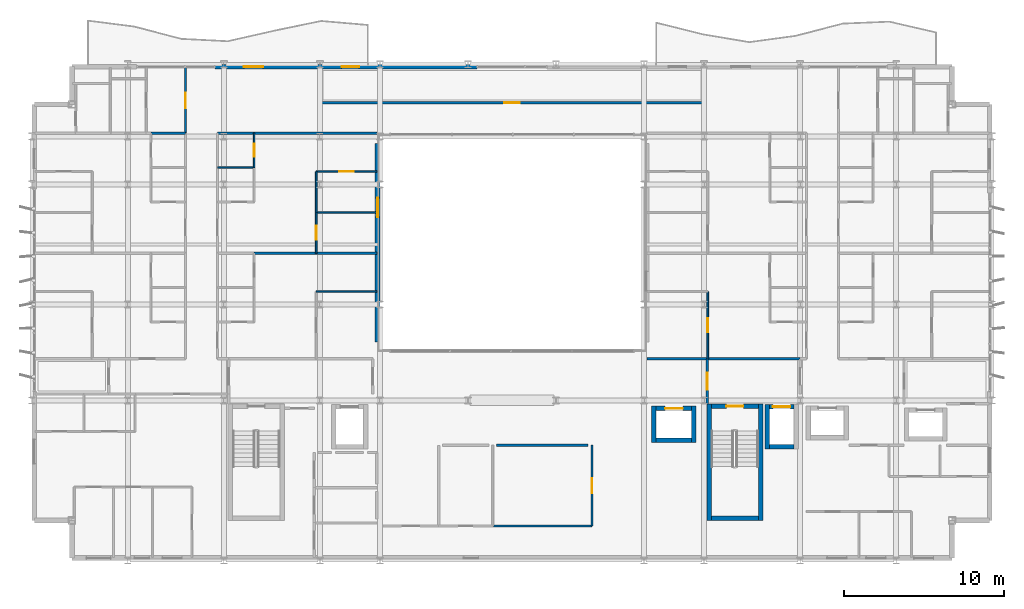
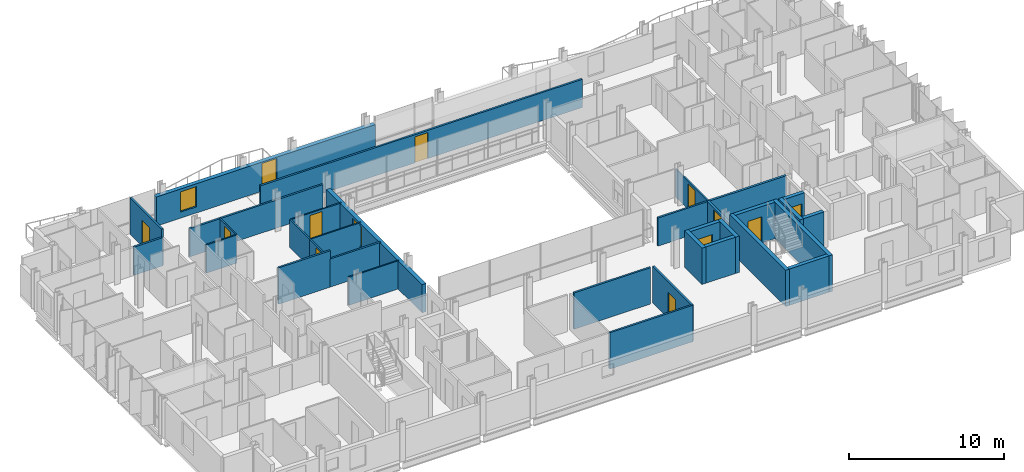
# One storey, part 30 of 39: 34 walls, 12 doors, 2 windows, 14 openings.
"""IFC4 building model written with IfcOpenShell, lengths in metres."""

from ifc_helpers import new_model, si_unit, direction, frame, frame_2d, origin, place, context, subcontext, project, spatial, rectangle, extrude, material, layer, layer_set, type_object, element, fill, save


model = new_model("IFC4")

# Units and contexts
model_context = context("Model", 3, precision=1e-05, world=origin(), true_north=direction((0.0, 1.0)))
body_context = subcontext(model_context, "Body", "Model", "MODEL_VIEW")
ifc_project = project(units=[si_unit("LENGTHUNIT", "METRE"), si_unit("AREAUNIT", "SQUARE_METRE"), si_unit("VOLUMEUNIT", "CUBIC_METRE"), si_unit("PLANEANGLEUNIT", "RADIAN"), si_unit("MASSUNIT", "GRAM", prefix="KILO")], contexts=[model_context])

# Site, building, storey
site_placement = place(None, origin())
site = spatial("IfcSite", under=ifc_project, at=site_placement, CompositionType="ELEMENT")
building_placement = place(site_placement, origin())
building = spatial("IfcBuilding", under=site, at=building_placement, Name="Brevholm Reach", CompositionType="ELEMENT")
storey_placement = place(building_placement, frame((0.0, 0.0, 77.60009765625)))
storey = spatial("IfcBuildingStorey", under=building, at=storey_placement, Name="L22", CompositionType="ELEMENT", Elevation=77.60009765625)

# Walls
ifc_material_1 = material(Name="Concrete C50/60", Category="concrete")
ifc_layer_1 = layer(ifc_material_1, 0.280029296875)
ifc_layer_set_1 = layer_set([ifc_layer_1], Name="Concrete C50/60")
wall_type_1 = type_object("IfcWallType", Name="WAL-COR-280", PredefinedType="SHEAR", material=ifc_layer_set_1)
for number, where, z_axis, x_axis, name in (
    (1, (42.31005859375, 2.5, 0.0), (0.0, 0.0, 1.0), (0.0, 1.0, 0.0), "L22 Escape Stair ST-2 Core Wall W"),
    (2, (45.5400390625, 2.5, 0.0), (0.0, 0.0, 1.0), (0.0, 1.0, 0.0), "L22 Escape Stair ST-2 Core Wall E"),
):
    element("IfcWall", number, at=place(storey_placement, frame(where, z_axis=z_axis, x_axis=x_axis)), inside=storey, type_object=wall_type_1, Name=name, PredefinedType="SHEAR", context=body_context, shape_type="SweptSolid", body=[
        extrude(rectangle(XDim=7.280029296875, YDim=0.280029296875, at=frame_2d((3.64013671875, 0.0))), origin(), (0.0, 0.0, 1.0), 2.869873046875),
    ])
wall_1_placement = place(storey_placement, frame((42.449951171875, 2.639892578125, 0.0), z_axis=(0.0, 0.0, 1.0), x_axis=(1.0, 0.0, 0.0)))
element("IfcWall", 3, at=wall_1_placement, inside=storey, type_object=wall_type_1, Name="L22 Escape Stair ST-2 Core Wall S", PredefinedType="SHEAR", context=body_context, shape_type="SweptSolid", body=[
    extrude(rectangle(XDim=2.949951171875, YDim=0.280029296875, at=frame_2d((1.47509765625, 0.0))), origin(), (0.0, 0.0, 1.0), 2.869873046875),
])

# Wall, opening, door
wall_2_placement = place(storey_placement, frame((45.39990234375, 9.639892578125, 0.0), z_axis=(0.0, 0.0, 1.0), x_axis=(-1.0, 0.0, 0.0)))
wall_2 = element("IfcWall", 4, at=wall_2_placement, inside=storey, type_object=wall_type_1, Name="L22 Escape Stair ST-2 Core Wall N", PredefinedType="SHEAR", context=body_context, shape_type="SweptSolid", body=[
    extrude(rectangle(XDim=2.949951171875, YDim=0.280029296875, at=frame_2d((1.47509765625, 0.0))), origin(), (0.0, 0.0, 1.0), 2.869873046875),
])
opening_1_placement = place(wall_2_placement, frame((0.949951171875, 0.0, 0.0)))
opening_1 = element("IfcOpeningElement", 5, at=opening_1_placement, cuts=wall_2, Name="Opening SD-ST-2", PredefinedType="OPENING", context=body_context, shape_type="SweptSolid", body=[
    extrude(rectangle(XDim=1.050048828125, YDim=2.06005859375, at=frame_2d((0.52490234375, 1.030029296875))), frame((0.0, 0.14990234375, 0.0), z_axis=(0.0, -1.0, 0.0), x_axis=(1.0, 0.0, 0.0)), (0.0, 0.0, 1.0), 0.300048828125),
])
ifc_material_2 = material(Name="Hardwood-Lipped Steel-Core Fire and Smoke Door", Category="steel")
door_type_1 = type_object("IfcDoorType", Name="DOR-INT-FD60S", OperationType="NOTDEFINED", PredefinedType="DOOR", material=ifc_material_2)
door_1_placement = place(opening_1_placement, origin())
door_1 = element("IfcDoor", 6, at=door_1_placement, inside=storey, type_object=door_type_1, Name="L22 Protected Stair ST-2 Lobby Door", OperationType="SINGLE_SWING_LEFT", OverallHeight=2.06005859375, OverallWidth=1.050048828125, PredefinedType="DOOR", context=body_context, shape_type="SweptSolid", body=[
    extrude(rectangle(XDim=1.050048828125, YDim=2.06005859375, at=frame_2d((0.52490234375, 1.030029296875))), frame((0.0, 0.02490234375, 0.0), z_axis=(0.0, -1.0, 0.0), x_axis=(1.0, 0.0, 0.0)), (0.0, 0.0, 1.0), 0.050048828125),
])
fill(opening_1, door_1)

# Walls
wall_3_placement = place(storey_placement, frame((45.949951171875, 6.9599609375, 0.0), z_axis=(0.0, 0.0, 1.0), x_axis=(0.0, 1.0, 0.0)))
element("IfcWall", 7, at=wall_3_placement, inside=storey, type_object=wall_type_1, Name="L22 Lift FFL-2 Shaft Wall W", PredefinedType="SHEAR", context=body_context, shape_type="SweptSolid", body=[
    extrude(rectangle(XDim=2.780029296875, YDim=0.280029296875, at=frame_2d((1.39013671875, 0.0))), origin(), (0.0, 0.0, 1.0), 2.869873046875),
])
wall_4_placement = place(storey_placement, frame((46.090087890625, 7.10009765625, 0.0), z_axis=(0.0, 0.0, 1.0), x_axis=(1.0, 0.0, 0.0)))
element("IfcWall", 8, at=wall_4_placement, inside=storey, type_object=wall_type_1, Name="L22 Lift FFL-2 Shaft Wall S", PredefinedType="SHEAR", context=body_context, shape_type="SweptSolid", body=[
    extrude(rectangle(XDim=1.52001953125, YDim=0.280029296875, at=frame_2d((0.760009765625, 0.0))), origin(), (0.0, 0.0, 1.0), 2.869873046875),
])

# Wall, opening, door
wall_5_placement = place(storey_placement, frame((46.090087890625, 9.60009765625, 0.0), z_axis=(0.0, 0.0, 1.0), x_axis=(1.0, 0.0, 0.0)))
wall_5 = element("IfcWall", 9, at=wall_5_placement, inside=storey, type_object=wall_type_1, Name="L22 Lift FFL-2 Shaft Wall N", PredefinedType="SHEAR", context=body_context, shape_type="SweptSolid", body=[
    extrude(rectangle(XDim=1.52001953125, YDim=0.280029296875, at=frame_2d((0.760009765625, 0.0))), origin(), (0.0, 0.0, 1.0), 2.869873046875),
])
opening_2_placement = place(wall_5_placement, frame((0.2099609375, 0.0, 0.0)))
opening_2 = element("IfcOpeningElement", 10, at=opening_2_placement, cuts=wall_5, Name="Opening LD-FFL-2", PredefinedType="OPENING", context=body_context, shape_type="SweptSolid", body=[
    extrude(rectangle(XDim=1.10009765625, YDim=2.06005859375, at=frame_2d((0.550048828125, 1.030029296875))), frame((0.0, 0.14990234375, 0.0), z_axis=(0.0, -1.0, 0.0), x_axis=(1.0, 0.0, 0.0)), (0.0, 0.0, 1.0), 0.300048828125),
])
ifc_material_3 = material(Name="Brushed Stainless Steel Fire-Rated Sliding Lift Door", Category="steel")
door_type_2 = type_object("IfcDoorType", Name="DOR-LFT-1100", OperationType="NOTDEFINED", PredefinedType="DOOR", material=ifc_material_3)
door_2_placement = place(opening_2_placement, origin())
door_2 = element("IfcDoor", 11, at=door_2_placement, inside=storey, type_object=door_type_2, Name="L22 Lift FFL-2 Sliding Landing Door", OperationType="SLIDING_TO_LEFT", OverallHeight=2.06005859375, OverallWidth=1.10009765625, PredefinedType="DOOR", context=body_context, shape_type="SweptSolid", body=[
    extrude(rectangle(XDim=1.10009765625, YDim=2.06005859375, at=frame_2d((0.550048828125, 1.030029296875))), frame((0.0, 0.02490234375, 0.0), z_axis=(0.0, -1.0, 0.0), x_axis=(1.0, 0.0, 0.0)), (0.0, 0.0, 1.0), 0.050048828125),
])
fill(opening_2, door_2)

# Walls
for number, where, z_axis, x_axis, name in (
    (12, (38.8701171875, 7.360107421875, 0.0), (0.0, 0.0, 1.0), (0.0, 1.0, 0.0), "L22 Lift PL-S1 Shaft Wall W"),
    (13, (41.3701171875, 7.360107421875, 0.0), (0.0, 0.0, 1.0), (0.0, 1.0, 0.0), "L22 Lift PL-S1 Shaft Wall E"),
):
    element("IfcWall", number, at=place(storey_placement, frame(where, z_axis=z_axis, x_axis=x_axis)), inside=storey, type_object=wall_type_1, Name=name, PredefinedType="SHEAR", context=body_context, shape_type="SweptSolid", body=[
        extrude(rectangle(XDim=2.27978515625, YDim=0.280029296875, at=frame_2d((1.139892578125, 0.0))), origin(), (0.0, 0.0, 1.0), 2.869873046875),
    ])
wall_6_placement = place(storey_placement, frame((39.010009765625, 7.5, 0.0), z_axis=(0.0, 0.0, 1.0), x_axis=(1.0, 0.0, 0.0)))
element("IfcWall", 14, at=wall_6_placement, inside=storey, type_object=wall_type_1, Name="L22 Lift PL-S1 Shaft Wall S", PredefinedType="SHEAR", context=body_context, shape_type="SweptSolid", body=[
    extrude(rectangle(XDim=2.219970703125, YDim=0.280029296875, at=frame_2d((1.10986328125, 0.0))), origin(), (0.0, 0.0, 1.0), 2.869873046875),
])

# Wall, opening, door
wall_7_placement = place(storey_placement, frame((39.010009765625, 9.5, 0.0), z_axis=(0.0, 0.0, 1.0), x_axis=(1.0, 0.0, 0.0)))
wall_7 = element("IfcWall", 15, at=wall_7_placement, inside=storey, type_object=wall_type_1, Name="L22 Lift PL-S1 Shaft Wall N", PredefinedType="SHEAR", context=body_context, shape_type="SweptSolid", body=[
    extrude(rectangle(XDim=2.219970703125, YDim=0.280029296875, at=frame_2d((1.10986328125, 0.0))), origin(), (0.0, 0.0, 1.0), 2.869873046875),
])
opening_3_placement = place(wall_7_placement, frame((0.56005859375, 0.0, 0.0)))
opening_3 = element("IfcOpeningElement", 16, at=opening_3_placement, cuts=wall_7, Name="Opening LD-PL-S1", PredefinedType="OPENING", context=body_context, shape_type="SweptSolid", body=[
    extrude(rectangle(XDim=1.10009765625, YDim=2.06005859375, at=frame_2d((0.550048828125, 1.030029296875))), frame((0.0, 0.14990234375, 0.0), z_axis=(0.0, -1.0, 0.0), x_axis=(1.0, 0.0, 0.0)), (0.0, 0.0, 1.0), 0.300048828125),
])
door_3_placement = place(opening_3_placement, origin())
door_3 = element("IfcDoor", 17, at=door_3_placement, inside=storey, type_object=door_type_2, Name="L22 Lift PL-S1 Sliding Landing Door", OperationType="SLIDING_TO_RIGHT", OverallHeight=2.06005859375, OverallWidth=1.10009765625, PredefinedType="DOOR", context=body_context, shape_type="SweptSolid", body=[
    extrude(rectangle(XDim=1.10009765625, YDim=2.06005859375, at=frame_2d((0.550048828125, 1.030029296875))), frame((0.0, 0.02490234375, 0.0), z_axis=(0.0, -1.0, 0.0), x_axis=(1.0, 0.0, 0.0)), (0.0, 0.0, 1.0), 0.050048828125),
])
fill(opening_3, door_3)

# Wall, openings, door, window
ifc_material_4 = material(Name="Concrete C40/50", Category="concrete")
ifc_layer_2 = layer(ifc_material_4, 0.300048828125)
ifc_layer_set_2 = layer_set([ifc_layer_2], Name="Concrete C40/50")
wall_type_2 = type_object("IfcWallType", Name="WAL-EXT-300", PredefinedType="STANDARD", material=ifc_layer_set_2)
wall_8_placement = place(storey_placement, frame((11.449951171875, 30.85009765625, 0.0), z_axis=(0.0, 0.0, 1.0), x_axis=(1.0, 0.0, 0.0)))
wall_8 = element("IfcWall", 18, at=wall_8_placement, inside=storey, type_object=wall_type_2, Name="L22 Facade Wall WAL-L22-NP-WL", PredefinedType="STANDARD", context=body_context, shape_type="SweptSolid", body=[
    extrude(rectangle(XDim=16.35009765625, YDim=0.300048828125, at=frame_2d((8.175048828125, 0.0))), origin(), (0.0, 0.0, 1.0), 2.305419921875),
])
opening_4_placement = place(wall_8_placement, frame((7.89794921875, 0.0, 0.0)))
opening_4 = element("IfcOpeningElement", 19, at=opening_4_placement, cuts=wall_8, Name="Opening BD-01", PredefinedType="OPENING", context=body_context, shape_type="SweptSolid", body=[
    extrude(rectangle(XDim=1.10009765625, YDim=2.199951171875, at=frame_2d((0.550048828125, 1.10009765625))), frame((0.0, 0.159912109375, 0.0), z_axis=(0.0, -1.0, 0.0), x_axis=(1.0, 0.0, 0.0)), (0.0, 0.0, 1.0), 0.320068359375),
])
opening_5_placement = place(wall_8_placement, frame((1.800048828125, 0.0, 0.486083984375)))
opening_5 = element("IfcOpeningElement", 20, at=opening_5_placement, cuts=wall_8, Name="Opening WN-08", PredefinedType="OPENING", context=body_context, shape_type="SweptSolid", body=[
    extrude(rectangle(XDim=1.199951171875, YDim=1.60009765625, at=frame_2d((0.60009765625, 0.800048828125))), frame((0.0, 0.159912109375, 0.0), z_axis=(0.0, -1.0, 0.0), x_axis=(1.0, 0.0, 0.0)), (0.0, 0.0, 1.0), 0.320068359375),
])
ifc_material_5 = material(Name="Dark Anodised Aluminium and Triple-Glazed Glass", Category="aluminium")
door_type_3 = type_object("IfcDoorType", Name="DOR-BALC-1100", OperationType="NOTDEFINED", PredefinedType="DOOR", material=ifc_material_5)
door_4_placement = place(opening_4_placement, origin())
door_4 = element("IfcDoor", 21, at=door_4_placement, inside=storey, type_object=door_type_3, Name="L22 Exterior Door DOR-L22-BL-NW", OperationType="SINGLE_SWING_RIGHT", OverallHeight=2.199951171875, OverallWidth=1.10009765625, PredefinedType="DOOR", context=body_context, shape_type="SweptSolid", body=[
    extrude(rectangle(XDim=1.10009765625, YDim=2.199951171875, at=frame_2d((0.550048828125, 1.10009765625))), frame((0.0, 0.02490234375, 0.0), z_axis=(0.0, -1.0, 0.0), x_axis=(1.0, 0.0, 0.0)), (0.0, 0.0, 1.0), 0.050048828125),
])
fill(opening_4, door_4)
ifc_material_6 = material(Name="Dark Anodised Aluminium and Solar-Control IGU Glass", Category="aluminium")
window_type = type_object("IfcWindowType", Name="WIN-RES-1200", PartitioningType="SINGLE_PANEL", PredefinedType="WINDOW", material=ifc_material_6)
window_1_placement = place(opening_5_placement, origin())
window_1 = element("IfcWindow", 22, at=window_1_placement, inside=storey, type_object=window_type, Name="L22 Window WIN-L22-NP-WL1", OverallHeight=1.60009765625, OverallWidth=1.199951171875, PartitioningType="SINGLE_PANEL", PredefinedType="WINDOW", context=body_context, shape_type="SweptSolid", body=[
    extrude(rectangle(XDim=1.199951171875, YDim=1.60009765625, at=frame_2d((0.60009765625, 0.800048828125))), frame((0.0, 0.030029296875, 0.0), z_axis=(0.0, -1.0, 0.0), x_axis=(1.0, 0.0, 0.0)), (0.0, 0.0, 1.0), 0.06005859375),
])
fill(opening_5, window_1)

# Wall, opening, window
wall_9_placement = place(storey_placement, frame((21.60009765625, 26.050048828125, 0.0), z_axis=(0.0, 0.0, 1.0), x_axis=(0.0, -1.0, 0.0)))
wall_9 = element("IfcWall", 23, at=wall_9_placement, inside=storey, type_object=wall_type_2, Name="L22 Facade Wall WAL-L22-AT-W", PredefinedType="STANDARD", context=body_context, shape_type="SweptSolid", body=[
    extrude(rectangle(XDim=12.400146484375, YDim=0.300048828125, at=frame_2d((6.2001953125, 0.0))), origin(), (0.0, 0.0, 1.0), 2.224609375),
])
opening_6_placement = place(wall_9_placement, frame((3.39990234375, 0.0, 0.405029296875)))
opening_6 = element("IfcOpeningElement", 24, at=opening_6_placement, cuts=wall_9, Name="Opening WN-08", PredefinedType="OPENING", context=body_context, shape_type="SweptSolid", body=[
    extrude(rectangle(XDim=1.199951171875, YDim=1.60009765625, at=frame_2d((0.60009765625, 0.800048828125))), frame((0.0, 0.159912109375, 0.0), z_axis=(0.0, -1.0, 0.0), x_axis=(1.0, 0.0, 0.0)), (0.0, 0.0, 1.0), 0.320068359375),
])
window_2_placement = place(opening_6_placement, origin())
window_2 = element("IfcWindow", 25, at=window_2_placement, inside=storey, type_object=window_type, Name="L22 Window WIN-L22-AT-W1", OverallHeight=1.60009765625, OverallWidth=1.199951171875, PartitioningType="SINGLE_PANEL", PredefinedType="WINDOW", context=body_context, shape_type="SweptSolid", body=[
    extrude(rectangle(XDim=1.199951171875, YDim=1.60009765625, at=frame_2d((0.60009765625, 0.800048828125))), frame((0.0, 0.030029296875, 0.0), z_axis=(0.0, -1.0, 0.0), x_axis=(1.0, 0.0, 0.0)), (0.0, 0.0, 1.0), 0.06005859375),
])
fill(opening_6, window_2)

# Walls
ifc_material_7 = material(Name="Moisture-Resistant Acoustic Gypsum Stud Partition 100 mm", Category="gypsum")
ifc_layer_3 = layer(ifc_material_7, 0.10009765625)
ifc_layer_set_3 = layer_set([ifc_layer_3], Name="Moisture-Resistant Acoustic Gypsum Stud Partition 100 mm")
wall_type_3 = type_object("IfcWallType", Name="WAL-PRT-100", PredefinedType="PARTITIONING", material=ifc_layer_set_3)
wall_10_placement = place(storey_placement, frame((17.76904296875, 16.800048828125, 0.0), z_axis=(0.0, 0.0, 1.0), x_axis=(1.0, 0.0, 0.0)))
element("IfcWall", 26, at=wall_10_placement, inside=storey, type_object=wall_type_3, Name="L22 Internal Partition 118", PredefinedType="PARTITIONING", context=body_context, shape_type="SweptSolid", body=[
    extrude(rectangle(XDim=3.781005859375, YDim=0.10009765625, at=frame_2d((1.890625, 0.0))), origin(), (0.0, 0.0, 1.0), 2.224609375),
])
wall_11_placement = place(storey_placement, frame((11.60400390625, 24.550048828125, 0.0), z_axis=(0.0, 0.0, 1.0), x_axis=(1.0, 0.0, 0.0)))
element("IfcWall", 27, at=wall_11_placement, inside=storey, type_object=wall_type_3, Name="L22 Internal Partition 122", PredefinedType="PARTITIONING", context=body_context, shape_type="SweptSolid", body=[
    extrude(rectangle(XDim=2.284912109375, YDim=0.10009765625, at=frame_2d((1.142578125, 0.0))), origin(), (0.0, 0.0, 1.0), 2.224609375),
])

# Wall, opening, door
wall_12_placement = place(storey_placement, frame((13.888916015625, 24.550048828125, 0.0), z_axis=(0.0, 0.0, 1.0), x_axis=(0.0, 1.0, 0.0)))
wall_12 = element("IfcWall", 28, at=wall_12_placement, inside=storey, type_object=wall_type_3, Name="L22 Internal Partition 123", PredefinedType="PARTITIONING", context=body_context, shape_type="SweptSolid", body=[
    extrude(rectangle(XDim=2.14599609375, YDim=0.10009765625, at=frame_2d((1.072998046875, 0.0))), origin(), (0.0, 0.0, 1.0), 2.224609375),
])
opening_7_placement = place(wall_12_placement, frame((0.6630859375, 0.0, 0.0)))
opening_7 = element("IfcOpeningElement", 29, at=opening_7_placement, cuts=wall_12, Name="Opening ID-03", PredefinedType="OPENING", context=body_context, shape_type="SweptSolid", body=[
    extrude(rectangle(XDim=0.820068359375, YDim=2.02001953125, at=frame_2d((0.41015625, 1.010009765625))), frame((0.0, 0.06005859375, 0.0), z_axis=(0.0, -1.0, 0.0), x_axis=(1.0, 0.0, 0.0)), (0.0, 0.0, 1.0), 0.1201171875),
])
ifc_material_8 = material(Name="Moisture-Resistant Painted Timber Internal Bathroom Door", Category="wood")
door_type_4 = type_object("IfcDoorType", Name="DOR-BATH-820", OperationType="NOTDEFINED", PredefinedType="DOOR", material=ifc_material_8)
door_5_placement = place(opening_7_placement, origin())
door_5 = element("IfcDoor", 30, at=door_5_placement, inside=storey, type_object=door_type_4, Name="L22 Internal Door 046", OperationType="SINGLE_SWING_LEFT", OverallHeight=2.02001953125, OverallWidth=0.820068359375, PredefinedType="DOOR", context=body_context, shape_type="SweptSolid", body=[
    extrude(rectangle(XDim=0.820068359375, YDim=2.02001953125, at=frame_2d((0.41015625, 1.010009765625))), frame((0.0, 0.02490234375, 0.0), z_axis=(0.0, -1.0, 0.0), x_axis=(1.0, 0.0, 0.0)), (0.0, 0.0, 1.0), 0.050048828125),
])
fill(opening_7, door_5)

# Wall
wall_13_placement = place(storey_placement, frame((17.76904296875, 21.75, 0.0), z_axis=(0.0, 0.0, 1.0), x_axis=(1.0, 0.0, 0.0)))
element("IfcWall", 31, at=wall_13_placement, inside=storey, type_object=wall_type_3, Name="L22 Internal Partition 126", PredefinedType="PARTITIONING", context=body_context, shape_type="SweptSolid", body=[
    extrude(rectangle(XDim=3.781005859375, YDim=0.10009765625, at=frame_2d((1.890625, 0.0))), origin(), (0.0, 0.0, 1.0), 2.224609375),
])

# Wall, opening, door
wall_14_placement = place(storey_placement, frame((17.76904296875, 19.2041015625, 0.0), z_axis=(0.0, 0.0, 1.0), x_axis=(0.0, 1.0, 0.0)))
wall_14 = element("IfcWall", 32, at=wall_14_placement, inside=storey, type_object=wall_type_3, Name="L22 Internal Partition 127", PredefinedType="PARTITIONING", context=body_context, shape_type="SweptSolid", body=[
    extrude(rectangle(XDim=2.5458984375, YDim=0.10009765625, at=frame_2d((1.27294921875, 0.0))), origin(), (0.0, 0.0, 1.0), 2.224609375),
])
opening_8_placement = place(wall_14_placement, frame((0.8330078125, 0.0, 0.0)))
opening_8 = element("IfcOpeningElement", 33, at=opening_8_placement, cuts=wall_14, Name="Opening ID-01", PredefinedType="OPENING", context=body_context, shape_type="SweptSolid", body=[
    extrude(rectangle(XDim=0.8798828125, YDim=2.0400390625, at=frame_2d((0.43994140625, 1.02001953125))), frame((0.0, 0.06005859375, 0.0), z_axis=(0.0, -1.0, 0.0), x_axis=(1.0, 0.0, 0.0)), (0.0, 0.0, 1.0), 0.1201171875),
])
ifc_material_9 = material(Name="Lacquered Ash Solid-Core Acoustic Internal Door", Category="timber")
door_type_5 = type_object("IfcDoorType", Name="DOR-INT-880", OperationType="NOTDEFINED", PredefinedType="DOOR", material=ifc_material_9)
door_6_placement = place(opening_8_placement, origin())
door_6 = element("IfcDoor", 34, at=door_6_placement, inside=storey, type_object=door_type_5, Name="L22 Internal Door 048", OperationType="SINGLE_SWING_LEFT", OverallHeight=2.0400390625, OverallWidth=0.8798828125, PredefinedType="DOOR", context=body_context, shape_type="SweptSolid", body=[
    extrude(rectangle(XDim=0.8798828125, YDim=2.0400390625, at=frame_2d((0.43994140625, 1.02001953125))), frame((0.0, 0.02490234375, 0.0), z_axis=(0.0, -1.0, 0.0), x_axis=(1.0, 0.0, 0.0)), (0.0, 0.0, 1.0), 0.050048828125),
])
fill(opening_8, door_6)

wall_15_placement = place(storey_placement, frame((17.76904296875, 24.300048828125, 0.0), z_axis=(0.0, 0.0, 1.0), x_axis=(1.0, 0.0, 0.0)))
wall_15 = element("IfcWall", 35, at=wall_15_placement, inside=storey, type_object=wall_type_3, Name="L22 Internal Partition 128", PredefinedType="PARTITIONING", context=body_context, shape_type="SweptSolid", body=[
    extrude(rectangle(XDim=3.781005859375, YDim=0.10009765625, at=frame_2d((1.890625, 0.0))), origin(), (0.0, 0.0, 1.0), 2.224609375),
])
opening_9_placement = place(wall_15_placement, frame((1.450439453125, 0.0, 0.0)))
opening_9 = element("IfcOpeningElement", 36, at=opening_9_placement, cuts=wall_15, Name="Opening ID-01", PredefinedType="OPENING", context=body_context, shape_type="SweptSolid", body=[
    extrude(rectangle(XDim=0.8798828125, YDim=2.0400390625, at=frame_2d((0.43994140625, 1.02001953125))), frame((0.0, 0.06005859375, 0.0), z_axis=(0.0, -1.0, 0.0), x_axis=(1.0, 0.0, 0.0)), (0.0, 0.0, 1.0), 0.1201171875),
])
door_7_placement = place(opening_9_placement, origin())
door_7 = element("IfcDoor", 37, at=door_7_placement, inside=storey, type_object=door_type_5, Name="L22 Internal Door 049", OperationType="SINGLE_SWING_RIGHT", OverallHeight=2.0400390625, OverallWidth=0.8798828125, PredefinedType="DOOR", context=body_context, shape_type="SweptSolid", body=[
    extrude(rectangle(XDim=0.8798828125, YDim=2.0400390625, at=frame_2d((0.43994140625, 1.02001953125))), frame((0.0, 0.02490234375, 0.0), z_axis=(0.0, -1.0, 0.0), x_axis=(1.0, 0.0, 0.0)), (0.0, 0.0, 1.0), 0.050048828125),
])
fill(opening_9, door_7)

# Wall
wall_16_placement = place(storey_placement, frame((17.76904296875, 21.75390625, 0.0), z_axis=(0.0, 0.0, 1.0), x_axis=(0.0, 1.0, 0.0)))
element("IfcWall", 38, at=wall_16_placement, inside=storey, type_object=wall_type_3, Name="L22 Internal Partition 129", PredefinedType="PARTITIONING", context=body_context, shape_type="SweptSolid", body=[
    extrude(rectangle(XDim=2.546142578125, YDim=0.10009765625, at=frame_2d((1.27294921875, 0.0))), origin(), (0.0, 0.0, 1.0), 2.224609375),
])

# Wall, opening, door
wall_17_placement = place(storey_placement, frame((42.23095703125, 12.60400390625, 0.0), z_axis=(0.0, 0.0, 1.0), x_axis=(0.0, 1.0, 0.0)))
wall_17 = element("IfcWall", 39, at=wall_17_placement, inside=storey, type_object=wall_type_3, Name="L22 Internal Partition 135", PredefinedType="PARTITIONING", context=body_context, shape_type="SweptSolid", body=[
    extrude(rectangle(XDim=4.196044921875, YDim=0.10009765625, at=frame_2d((2.09814453125, 0.0))), origin(), (0.0, 0.0, 1.0), 2.224609375),
])
opening_10_placement = place(wall_17_placement, frame((1.657958984375, 0.0, 0.0)))
opening_10 = element("IfcOpeningElement", 40, at=opening_10_placement, cuts=wall_17, Name="Opening ID-01", PredefinedType="OPENING", context=body_context, shape_type="SweptSolid", body=[
    extrude(rectangle(XDim=0.8798828125, YDim=2.0400390625, at=frame_2d((0.43994140625, 1.02001953125))), frame((0.0, 0.06005859375, 0.0), z_axis=(0.0, -1.0, 0.0), x_axis=(1.0, 0.0, 0.0)), (0.0, 0.0, 1.0), 0.1201171875),
])
door_8_placement = place(opening_10_placement, origin())
door_8 = element("IfcDoor", 41, at=door_8_placement, inside=storey, type_object=door_type_5, Name="L22 Internal Door 052", OperationType="SINGLE_SWING_LEFT", OverallHeight=2.0400390625, OverallWidth=0.8798828125, PredefinedType="DOOR", context=body_context, shape_type="SweptSolid", body=[
    extrude(rectangle(XDim=0.8798828125, YDim=2.0400390625, at=frame_2d((0.43994140625, 1.02001953125))), frame((0.0, 0.02490234375, 0.0), z_axis=(0.0, -1.0, 0.0), x_axis=(1.0, 0.0, 0.0)), (0.0, 0.0, 1.0), 0.050048828125),
])
fill(opening_10, door_8)

ifc_material_10 = material(Name="Twin-Stud Acoustic Fire-Rated Gypsum Partition 140 mm", Category="gypsum")
ifc_layer_4 = layer(ifc_material_10, 0.139892578125)
ifc_layer_set_4 = layer_set([ifc_layer_4], Name="Twin-Stud Acoustic Fire-Rated Gypsum Partition 140 mm")
wall_type_4 = type_object("IfcWallType", Name="WAL-PRT-140", PredefinedType="PARTITIONING", material=ifc_layer_set_4)
wall_18_placement = place(storey_placement, frame((35.0, 2.142578125, 0.0), z_axis=(0.0, 0.0, 1.0), x_axis=(0.0, 1.0, 0.0)))
wall_18 = element("IfcWall", 42, at=wall_18_placement, inside=storey, type_object=wall_type_4, Name="L22 Internal Partition 001", PredefinedType="PARTITIONING", context=body_context, shape_type="SweptSolid", body=[
    extrude(rectangle(XDim=5.068603515625, YDim=0.139892578125, at=frame_2d((2.5341796875, 0.0))), origin(), (0.0, 0.0, 1.0), 2.869873046875),
])
opening_11_placement = place(wall_18_placement, frame((2.059326171875, 0.0, 0.0)))
opening_11 = element("IfcOpeningElement", 43, at=opening_11_placement, cuts=wall_18, Name="Opening ID-30", PredefinedType="OPENING", context=body_context, shape_type="SweptSolid", body=[
    extrude(rectangle(XDim=0.949951171875, YDim=2.050048828125, at=frame_2d((0.47509765625, 1.02490234375))), frame((0.0, 0.079833984375, 0.0), z_axis=(0.0, -1.0, 0.0), x_axis=(1.0, 0.0, 0.0)), (0.0, 0.0, 1.0), 0.159912109375),
])
ifc_material_11 = material(Name="European Oak Veneered Solid-Core Fire Entrance Door", Category="timber")
door_type_6 = type_object("IfcDoorType", Name="DOR-FLT-FD30S", OperationType="NOTDEFINED", PredefinedType="DOOR", material=ifc_material_11)
door_9_placement = place(opening_11_placement, origin())
door_9 = element("IfcDoor", 44, at=door_9_placement, inside=storey, type_object=door_type_6, Name="L22 Internal Door 001", OperationType="SINGLE_SWING_RIGHT", OverallHeight=2.050048828125, OverallWidth=0.949951171875, PredefinedType="DOOR", context=body_context, shape_type="SweptSolid", body=[
    extrude(rectangle(XDim=0.949951171875, YDim=2.050048828125, at=frame_2d((0.47509765625, 1.02490234375))), frame((0.0, 0.02490234375, 0.0), z_axis=(0.0, -1.0, 0.0), x_axis=(1.0, 0.0, 0.0)), (0.0, 0.0, 1.0), 0.050048828125),
])
fill(opening_11, door_9)

# Walls
wall_19_placement = place(storey_placement, frame((28.792724609375, 2.14990234375, 0.0), z_axis=(0.0, 0.0, 1.0), x_axis=(1.0, 0.0, 0.0)))
element("IfcWall", 45, at=wall_19_placement, inside=storey, type_object=wall_type_4, Name="L22 Internal Partition 004", PredefinedType="PARTITIONING", context=body_context, shape_type="SweptSolid", body=[
    extrude(rectangle(XDim=6.203369140625, YDim=0.139892578125, at=frame_2d((3.1015625, 0.0))), origin(), (0.0, 0.0, 1.0), 2.869873046875),
])
wall_20_placement = place(storey_placement, frame((38.438720703125, 12.60009765625, 0.0), z_axis=(0.0, 0.0, 1.0), x_axis=(1.0, 0.0, 0.0)))
element("IfcWall", 46, at=wall_20_placement, inside=storey, type_object=wall_type_4, Name="L22 Internal Partition 030", PredefinedType="PARTITIONING", context=body_context, shape_type="SweptSolid", body=[
    extrude(rectangle(XDim=3.75732421875, YDim=0.139892578125, at=frame_2d((1.878662109375, 0.0))), origin(), (0.0, 0.0, 1.0), 2.224609375),
])

# Wall, opening, door
wall_21_placement = place(storey_placement, frame((9.60009765625, 26.692626953125, 0.0), z_axis=(0.0, 0.0, 1.0), x_axis=(0.0, 1.0, 0.0)))
wall_21 = element("IfcWall", 47, at=wall_21_placement, inside=storey, type_object=wall_type_4, Name="L22 Internal Partition 045", PredefinedType="PARTITIONING", context=body_context, shape_type="SweptSolid", body=[
    extrude(rectangle(XDim=4.107421875, YDim=0.139892578125, at=frame_2d((2.0537109375, 0.0))), origin(), (0.0, 0.0, 1.0), 2.869873046875),
])
opening_12_placement = place(wall_21_placement, frame((1.57861328125, 0.0, 0.0)))
opening_12 = element("IfcOpeningElement", 48, at=opening_12_placement, cuts=wall_21, Name="Opening ID-30", PredefinedType="OPENING", context=body_context, shape_type="SweptSolid", body=[
    extrude(rectangle(XDim=0.949951171875, YDim=2.050048828125, at=frame_2d((0.47509765625, 1.02490234375))), frame((0.0, 0.079833984375, 0.0), z_axis=(0.0, -1.0, 0.0), x_axis=(1.0, 0.0, 0.0)), (0.0, 0.0, 1.0), 0.159912109375),
])
door_10_placement = place(opening_12_placement, origin())
door_10 = element("IfcDoor", 49, at=door_10_placement, inside=storey, type_object=door_type_6, Name="L22 Internal Door 021", OperationType="SINGLE_SWING_RIGHT", OverallHeight=2.050048828125, OverallWidth=0.949951171875, PredefinedType="DOOR", context=body_context, shape_type="SweptSolid", body=[
    extrude(rectangle(XDim=0.949951171875, YDim=2.050048828125, at=frame_2d((0.47509765625, 1.02490234375))), frame((0.0, 0.02490234375, 0.0), z_axis=(0.0, -1.0, 0.0), x_axis=(1.0, 0.0, 0.0)), (0.0, 0.0, 1.0), 0.050048828125),
])
fill(opening_12, door_10)

# Walls
wall_22_placement = place(storey_placement, frame((11.60400390625, 26.699951171875, 0.0), z_axis=(0.0, 0.0, 1.0), x_axis=(1.0, 0.0, 0.0)))
element("IfcWall", 50, at=wall_22_placement, inside=storey, type_object=wall_type_4, Name="L22 Internal Partition 059", PredefinedType="PARTITIONING", context=body_context, shape_type="SweptSolid", body=[
    extrude(rectangle(XDim=2.29638671875, YDim=0.139892578125, at=frame_2d((1.148193359375, 0.0))), origin(), (0.0, 0.0, 1.0), 2.224609375),
])
wall_23_placement = place(storey_placement, frame((13.881591796875, 26.699951171875, 0.0), z_axis=(0.0, 0.0, 1.0), x_axis=(1.0, 0.0, 0.0)))
element("IfcWall", 51, at=wall_23_placement, inside=storey, type_object=wall_type_4, Name="L22 Internal Partition 060", PredefinedType="PARTITIONING", context=body_context, shape_type="SweptSolid", body=[
    extrude(rectangle(XDim=7.6796875, YDim=0.139892578125, at=frame_2d((3.83984375, 0.0))), origin(), (0.0, 0.0, 1.0), 2.224609375),
])

# Wall, opening, door
wall_24_placement = place(storey_placement, frame((17.98876953125, 28.60009765625, 0.0), z_axis=(0.0, 0.0, 1.0), x_axis=(1.0, 0.0, 0.0)))
wall_24 = element("IfcWall", 52, at=wall_24_placement, inside=storey, type_object=wall_type_4, Name="L22 Internal Partition 063", PredefinedType="PARTITIONING", context=body_context, shape_type="SweptSolid", body=[
    extrude(rectangle(XDim=24.0224609375, YDim=0.139892578125, at=frame_2d((12.01123046875, 0.0))), origin(), (0.0, 0.0, 1.0), 2.224609375),
])
opening_13_placement = place(wall_24_placement, frame((11.536376953125, 0.0, 0.0)))
opening_13 = element("IfcOpeningElement", 53, at=opening_13_placement, cuts=wall_24, Name="Opening ID-30", PredefinedType="OPENING", context=body_context, shape_type="SweptSolid", body=[
    extrude(rectangle(XDim=0.949951171875, YDim=2.050048828125, at=frame_2d((0.47509765625, 1.02490234375))), frame((0.0, 0.079833984375, 0.0), z_axis=(0.0, -1.0, 0.0), x_axis=(1.0, 0.0, 0.0)), (0.0, 0.0, 1.0), 0.159912109375),
])
door_11_placement = place(opening_13_placement, origin())
door_11 = element("IfcDoor", 54, at=door_11_placement, inside=storey, type_object=door_type_6, Name="L22 Internal Door 026", OperationType="SINGLE_SWING_LEFT", OverallHeight=2.050048828125, OverallWidth=0.949951171875, PredefinedType="DOOR", context=body_context, shape_type="SweptSolid", body=[
    extrude(rectangle(XDim=0.949951171875, YDim=2.050048828125, at=frame_2d((0.47509765625, 1.02490234375))), frame((0.0, 0.02490234375, 0.0), z_axis=(0.0, -1.0, 0.0), x_axis=(1.0, 0.0, 0.0)), (0.0, 0.0, 1.0), 0.050048828125),
])
fill(opening_13, door_11)

# Walls
wall_25_placement = place(storey_placement, frame((7.43798828125, 26.699951171875, 0.0), z_axis=(0.0, 0.0, 1.0), x_axis=(1.0, 0.0, 0.0)))
element("IfcWall", 55, at=wall_25_placement, inside=storey, type_object=wall_type_4, Name="L22 Internal Partition 102", PredefinedType="PARTITIONING", context=body_context, shape_type="SweptSolid", body=[
    extrude(rectangle(XDim=2.157958984375, YDim=0.139892578125, at=frame_2d((1.0791015625, 0.0))), origin(), (0.0, 0.0, 1.0), 2.224609375),
])
wall_26_placement = place(storey_placement, frame((17.7578125, 19.199951171875, 0.0), z_axis=(0.0, 0.0, 1.0), x_axis=(1.0, 0.0, 0.0)))
element("IfcWall", 56, at=wall_26_placement, inside=storey, type_object=wall_type_4, Name="L22 Internal Partition 120", PredefinedType="PARTITIONING", context=body_context, shape_type="SweptSolid", body=[
    extrude(rectangle(XDim=3.792236328125, YDim=0.139892578125, at=frame_2d((1.89599609375, 0.0))), origin(), (0.0, 0.0, 1.0), 2.224609375),
])
wall_27_placement = place(storey_placement, frame((13.89306640625, 19.199951171875, 0.0), z_axis=(0.0, 0.0, 1.0), x_axis=(1.0, 0.0, 0.0)))
element("IfcWall", 57, at=wall_27_placement, inside=storey, type_object=wall_type_4, Name="L22 Internal Partition 121", PredefinedType="PARTITIONING", context=body_context, shape_type="SweptSolid", body=[
    extrude(rectangle(XDim=3.88330078125, YDim=0.139892578125, at=frame_2d((1.941650390625, 0.0))), origin(), (0.0, 0.0, 1.0), 2.869873046875),
])
wall_28_placement = place(storey_placement, frame((29.0400390625, 7.199951171875, 0.0), z_axis=(0.0, 0.0, 1.0), x_axis=(1.0, 0.0, 0.0)))
element("IfcWall", 58, at=wall_28_placement, inside=storey, type_object=wall_type_4, Name="L22 Internal Partition 182", PredefinedType="PARTITIONING", context=body_context, shape_type="SweptSolid", body=[
    extrude(rectangle(XDim=5.719970703125, YDim=0.139892578125, at=frame_2d((2.85986328125, 0.0))), origin(), (0.0, 0.0, 1.0), 2.869873046875),
])

# Wall, opening, door
ifc_material_12 = material(Name="Twin-Frame Fire-Rated Gypsum Board and Mineral Wool 160 mm", Category="gypsum")
ifc_layer_5 = layer(ifc_material_12, 0.159912109375)
ifc_layer_set_5 = layer_set([ifc_layer_5], Name="Twin-Frame Fire-Rated Gypsum Board and Mineral Wool 160 mm")
wall_type_5 = type_object("IfcWallType", Name="WAL-PRT-160", PredefinedType="PARTITIONING", material=ifc_layer_set_5)
wall_29_placement = place(storey_placement, frame((42.199951171875, 9.7900390625, 0.0), z_axis=(0.0, 0.0, 1.0), x_axis=(0.0, 1.0, 0.0)))
wall_29 = element("IfcWall", 59, at=wall_29_placement, inside=storey, type_object=wall_type_5, Name="L22 Internal Partition 022", PredefinedType="PARTITIONING", context=body_context, shape_type="SweptSolid", body=[
    extrude(rectangle(XDim=2.81005859375, YDim=0.159912109375, at=frame_2d((1.405029296875, 0.0))), origin(), (0.0, 0.0, 1.0), 2.224609375),
])
opening_14_placement = place(wall_29_placement, frame((0.8798828125, 0.0, 0.0)))
opening_14 = element("IfcOpeningElement", 60, at=opening_14_placement, cuts=wall_29, Name="Opening FD-01", PredefinedType="OPENING", context=body_context, shape_type="SweptSolid", body=[
    extrude(rectangle(XDim=1.050048828125, YDim=2.06005859375, at=frame_2d((0.52490234375, 1.030029296875))), frame((0.0, 0.08984375, 0.0), z_axis=(0.0, -1.0, 0.0), x_axis=(1.0, 0.0, 0.0)), (0.0, 0.0, 1.0), 0.179931640625),
])
door_12_placement = place(opening_14_placement, origin())
door_12 = element("IfcDoor", 61, at=door_12_placement, inside=storey, type_object=door_type_1, Name="L22 Internal Door 013", OperationType="SINGLE_SWING_RIGHT", OverallHeight=2.06005859375, OverallWidth=1.050048828125, PredefinedType="DOOR", context=body_context, shape_type="SweptSolid", body=[
    extrude(rectangle(XDim=1.050048828125, YDim=2.06005859375, at=frame_2d((0.52490234375, 1.030029296875))), frame((0.0, 0.02490234375, 0.0), z_axis=(0.0, -1.0, 0.0), x_axis=(1.0, 0.0, 0.0)), (0.0, 0.0, 1.0), 0.050048828125),
])
fill(opening_14, door_12)

# Wall
wall_30_placement = place(storey_placement, frame((42.2236328125, 12.60009765625, 0.0), z_axis=(0.0, 0.0, 1.0), x_axis=(1.0, 0.0, 0.0)))
element("IfcWall", 62, at=wall_30_placement, inside=storey, type_object=wall_type_5, Name="L22 Internal Partition 024", PredefinedType="PARTITIONING", context=body_context, shape_type="SweptSolid", body=[
    extrude(rectangle(XDim=5.7763671875, YDim=0.159912109375, at=frame_2d((2.88818359375, 0.0))), origin(), (0.0, 0.0, 1.0), 2.224609375),
])

save(model, "model.ifc")
